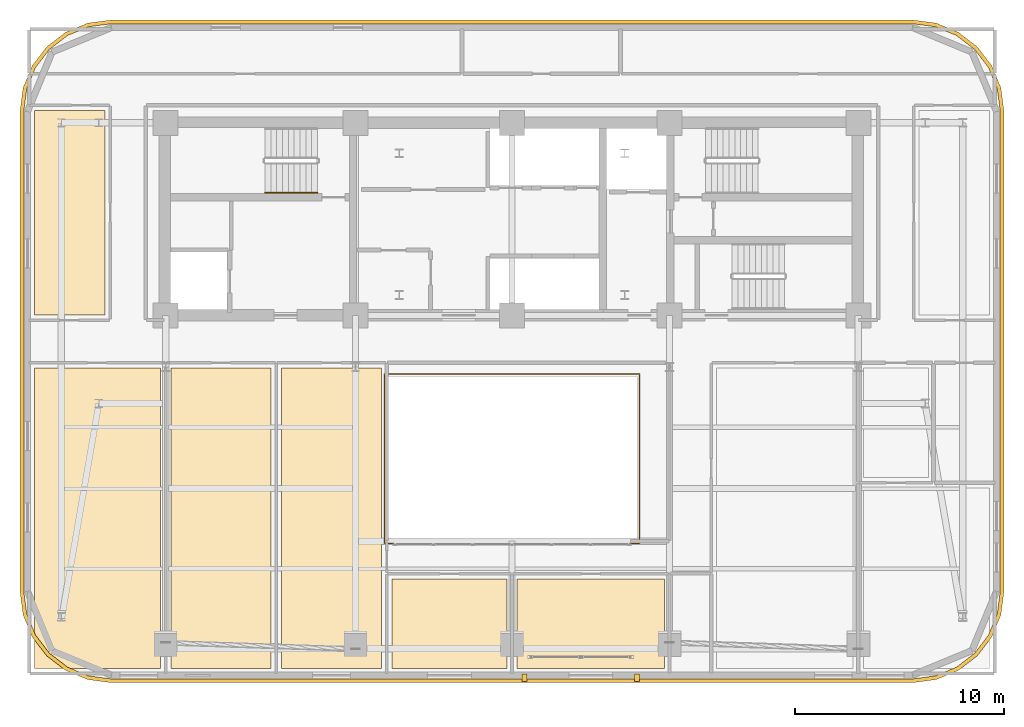
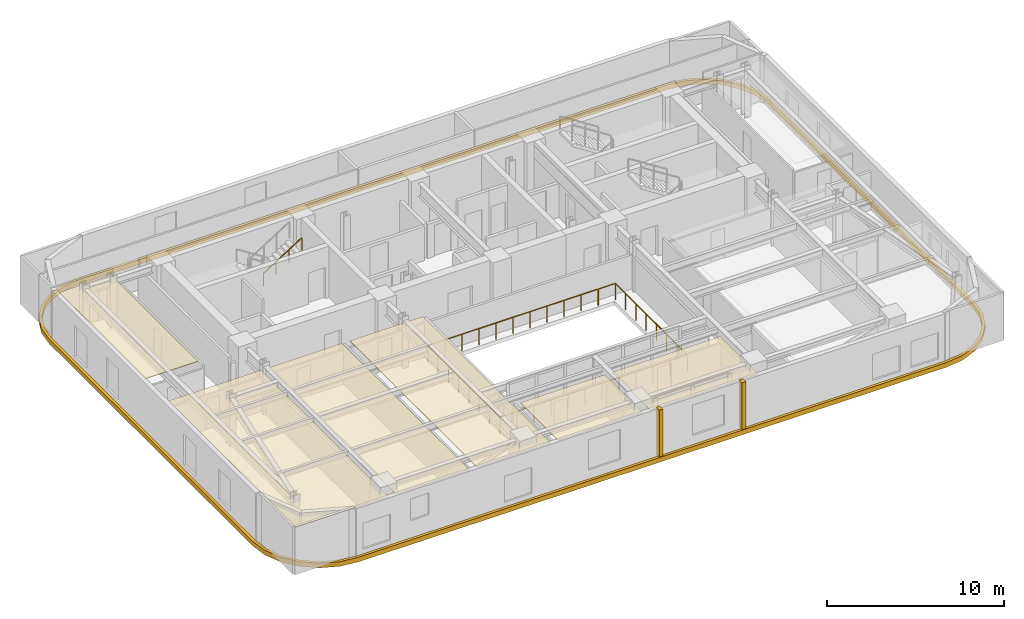
# One storey, part 10 of 12: 9 coverings, 2 railings.
"""IFC4 building model written with IfcOpenShell, lengths in metres."""

from ifc_helpers import new_model, si_unit, direction, frame, origin, origin_2d, place, context, subcontext, project, spatial, polyline, rectangle, outline, extrude, material, layer, layer_set, type_object, element, save


model = new_model("IFC4")

# Units and contexts
model_context = context("Model", 3, precision=1e-05, world=origin(), true_north=direction((0.0, 1.0)))
body_context = subcontext(model_context, "Body", "Model", "MODEL_VIEW")
ifc_project = project(units=[si_unit("LENGTHUNIT", "METRE"), si_unit("AREAUNIT", "SQUARE_METRE"), si_unit("VOLUMEUNIT", "CUBIC_METRE"), si_unit("PLANEANGLEUNIT", "RADIAN"), si_unit("MASSUNIT", "GRAM", prefix="KILO")], contexts=[model_context])

# Site, building, storey
site_placement = place(None, origin())
site = spatial("IfcSite", under=ifc_project, at=site_placement, CompositionType="ELEMENT")
building_placement = place(site_placement, origin())
building = spatial("IfcBuilding", under=site, at=building_placement, Name="Zarnavel Station Tower", CompositionType="ELEMENT")
storey_placement = place(building_placement, frame((0.0, 0.0, 155.449951171875)))
storey = spatial("IfcBuildingStorey", under=building, at=storey_placement, Name="L42", CompositionType="ELEMENT", Elevation=155.449951171875)

# Coverings
ifc_material_1 = material(Name="Perforated Gypsum and Mineral-Wool Acoustic Ceiling", Category="concrete")
ifc_layer = layer(ifc_material_1, 0.0400390625)
ifc_layer_set = layer_set([ifc_layer], Name="COV_CEIL_ACOUSTIC")
covering_type_1 = type_object("IfcCoveringType", Name="COV_CEIL_ACOUSTIC", PredefinedType="CEILING", material=ifc_layer_set)
covering_1_placement = place(storey_placement, frame((0.0, 0.0, 2.969970703125)))
element("IfcCovering", 1, at=covering_1_placement, inside=storey, type_object=covering_type_1, Name="L42 FNW Acoustic Ceiling", PredefinedType="CEILING", context=body_context, shape_type="SweptSolid", body=[
    extrude(outline(polyline([(5.909912109375, 27.85009765625), (9.300048828125, 27.85009765625), (9.300048828125, 37.64990234375), (5.909912109375, 37.64990234375), (5.909912109375, 27.85009765625)])), origin(), (0.0, 0.0, 1.0), 0.0400390625),
])
covering_2_placement = place(storey_placement, frame((0.0, 0.0, 2.969970703125)))
element("IfcCovering", 2, at=covering_2_placement, inside=storey, type_object=covering_type_1, Name="L42 L41LIB Acoustic Ceiling", PredefinedType="CEILING", context=body_context, shape_type="SweptSolid", body=[
    extrude(outline(polyline([(5.909912109375, 10.909912109375), (11.949951171875, 10.909912109375), (11.949951171875, 25.300048828125), (5.909912109375, 25.300048828125), (5.909912109375, 10.909912109375)])), origin(), (0.0, 0.0, 1.0), 0.0400390625),
])
covering_3_placement = place(storey_placement, frame((0.0, 0.0, 2.969970703125)))
element("IfcCovering", 3, at=covering_3_placement, inside=storey, type_object=covering_type_1, Name="L42 L41BRD Acoustic Ceiling", PredefinedType="CEILING", context=body_context, shape_type="SweptSolid", body=[
    extrude(outline(polyline([(12.449951171875, 10.909912109375), (17.25, 10.909912109375), (17.25, 25.300048828125), (12.449951171875, 25.300048828125), (12.449951171875, 10.909912109375)])), origin(), (0.0, 0.0, 1.0), 0.0400390625),
])
covering_4_placement = place(storey_placement, frame((0.0, 0.0, 2.969970703125)))
element("IfcCovering", 4, at=covering_4_placement, inside=storey, type_object=covering_type_1, Name="L42 L41OFF Acoustic Ceiling", PredefinedType="CEILING", context=body_context, shape_type="SweptSolid", body=[
    extrude(outline(polyline([(17.75, 10.909912109375), (22.550048828125, 10.909912109375), (22.550048828125, 25.300048828125), (17.75, 25.300048828125), (17.75, 10.909912109375)])), origin(), (0.0, 0.0, 1.0), 0.0400390625),
])
covering_5_placement = place(storey_placement, frame((0.0, 0.0, 2.969970703125)))
element("IfcCovering", 5, at=covering_5_placement, inside=storey, type_object=covering_type_1, Name="L42 L41TEA Acoustic Ceiling", PredefinedType="CEILING", context=body_context, shape_type="SweptSolid", body=[
    extrude(outline(polyline([(23.050048828125, 10.909912109375), (28.550048828125, 10.909912109375), (28.550048828125, 15.199951171875), (23.050048828125, 15.199951171875), (23.050048828125, 10.909912109375)])), origin(), (0.0, 0.0, 1.0), 0.0400390625),
])
covering_6_placement = place(storey_placement, frame((0.0, 0.0, 2.969970703125)))
element("IfcCovering", 6, at=covering_6_placement, inside=storey, type_object=covering_type_1, Name="L42 L41BAR Acoustic Ceiling", PredefinedType="CEILING", context=body_context, shape_type="SweptSolid", body=[
    extrude(outline(polyline([(29.050048828125, 10.909912109375), (36.10009765625, 10.909912109375), (36.10009765625, 15.199951171875), (29.050048828125, 15.199951171875), (29.050048828125, 10.909912109375)])), origin(), (0.0, 0.0, 1.0), 0.0400390625),
])
ifc_material_2 = material(Name="Precast concrete C45/55 (Pale Travertine Slab Band)", Category="masonry")
covering_type_2 = type_object("IfcCoveringType", Name="COV_TRAVERTINE_BAND", PredefinedType="CLADDING", material=ifc_material_2)
covering_7_placement = place(storey_placement, frame((0.0, 0.0, -0.260009765625)))
element("IfcCovering", 7, at=covering_7_placement, inside=storey, type_object=covering_type_2, Name="L42 Pale Travertine Slab-Edge Band", PredefinedType="CLADDING", context=body_context, shape_type="SweptSolid", body=[
    extrude(outline(polyline([(48.0, 10.219970703125), (49.133544921875, 10.369140625), (50.18994140625, 10.806884765625), (51.09716796875, 11.5029296875), (51.793212890625, 12.409912109375), (52.230712890625, 13.46630859375), (52.3798828125, 14.60009765625), (52.3798828125, 37.60009765625), (52.230712890625, 38.733642578125), (51.793212890625, 39.7900390625), (51.09716796875, 40.697021484375), (50.18994140625, 41.393310546875), (49.133544921875, 41.830810546875), (48.0, 41.97998046875), (9.60009765625, 41.97998046875), (8.46630859375, 41.830810546875), (7.409912109375, 41.393310546875), (6.5029296875, 40.697021484375), (5.806884765625, 39.7900390625), (5.369140625, 38.733642578125), (5.219970703125, 37.60009765625), (5.219970703125, 14.60009765625), (5.369140625, 13.46630859375), (5.806884765625, 12.409912109375), (6.5029296875, 11.5029296875), (7.409912109375, 10.806884765625), (8.46630859375, 10.369140625), (9.60009765625, 10.219970703125), (48.0, 10.219970703125)]), holes=[polyline([(48.0, 10.39990234375), (49.0869140625, 10.543212890625), (50.10009765625, 10.962646484375), (50.9697265625, 11.630126953125), (51.63720703125, 12.5), (52.056884765625, 13.512939453125), (52.199951171875, 14.60009765625), (52.199951171875, 37.60009765625), (52.056884765625, 38.68701171875), (51.63720703125, 39.699951171875), (50.9697265625, 40.56982421875), (50.10009765625, 41.2373046875), (49.0869140625, 41.656982421875), (48.0, 41.800048828125), (9.60009765625, 41.800048828125), (8.512939453125, 41.656982421875), (7.5, 41.2373046875), (6.630126953125, 40.56982421875), (5.962646484375, 39.699951171875), (5.543212890625, 38.68701171875), (5.39990234375, 37.60009765625), (5.39990234375, 14.60009765625), (5.543212890625, 13.512939453125), (5.962646484375, 12.5), (6.630126953125, 11.630126953125), (7.5, 10.962646484375), (8.512939453125, 10.543212890625), (9.60009765625, 10.39990234375), (48.0, 10.39990234375)])]), origin(), (0.0, 0.0, 1.0), 0.320068359375),
])
for number, where, z_axis, x_axis, name in (
    (8, (29.39990234375, 10.449951171875, 0.0), (0.0, 0.0, 1.0), (1.0, 0.0, 0.0), "L42 Travertine Portal Loggia Vertical Jog West"),
    (9, (34.800048828125, 10.449951171875, 0.0), (0.0, 0.0, 1.0), (1.0, 0.0, 0.0), "L42 Travertine Portal Loggia Vertical Jog East"),
):
    element("IfcCovering", number, at=place(storey_placement, frame(where, z_axis=z_axis, x_axis=x_axis)), inside=storey, type_object=covering_type_2, Name=name, PredefinedType="CLADDING", context=body_context, shape_type="SweptSolid", body=[
        extrude(rectangle(XDim=0.239990234375, YDim=0.360107421875, at=origin_2d()), origin(), (0.0, 0.0, 1.0), 3.2900390625),
    ])

# Railings
ifc_material_3 = material(Name="Painted Steel S355J2 Balustrade", Category="steel")
railing_type_1 = type_object("IfcRailingType", Name="GR_INT_1150", PredefinedType="GUARDRAIL", material=ifc_material_3)
railing_1_placement = place(storey_placement, frame((22.679931640625, 16.8798828125, 0.0)))
element("IfcRailing", 10, at=railing_1_placement, inside=storey, type_object=railing_type_1, Name="L42 Atrium Void Guardrail", PredefinedType="GUARDRAIL", context=body_context, shape_type="SweptSolid", body=[
    extrude(rectangle(XDim=0.048095703125, YDim=0.048095703125, at=origin_2d()), frame((0.001953125, 0.0, 1.1259765625), z_axis=(1.0, 0.0, 0.0), x_axis=(0.0, 1.0, 0.0)), (0.0, 0.0, 1.0), 12.236083984375),
    extrude(rectangle(XDim=0.048095703125, YDim=0.048095703125, at=origin_2d()), frame((12.239990234375, 0.001953125, 1.1259765625), z_axis=(0.0, 1.0, 0.0), x_axis=(-1.0, 0.0, 0.0)), (0.0, 0.0, 1.0), 8.13623046875),
    extrude(rectangle(XDim=0.048095703125, YDim=0.048095703125, at=origin_2d()), frame((12.238037109375, 8.14013671875, 1.1259765625), z_axis=(-1.0, 0.0, 0.0), x_axis=(0.0, -1.0, 0.0)), (0.0, 0.0, 1.0), 12.236083984375),
    extrude(rectangle(XDim=0.048095703125, YDim=0.048095703125, at=origin_2d()), frame((0.0, 8.13818359375, 1.1259765625), z_axis=(0.0, -1.0, 0.0), x_axis=(1.0, 0.0, 0.0)), (0.0, 0.0, 1.0), 8.13623046875),
    extrude(rectangle(XDim=0.0419921875, YDim=0.0419921875, at=origin_2d()), origin(), (0.0, 0.0, 1.0), 1.101806640625),
    extrude(rectangle(XDim=0.0419921875, YDim=0.0419921875, at=origin_2d()), frame((1.11279296875, 0.0, 0.0)), (0.0, 0.0, 1.0), 1.101806640625),
    extrude(rectangle(XDim=0.0419921875, YDim=0.0419921875, at=origin_2d()), frame((2.225341796875, 0.0, 0.0)), (0.0, 0.0, 1.0), 1.101806640625),
    extrude(rectangle(XDim=0.0419921875, YDim=0.0419921875, at=origin_2d()), frame((3.338134765625, 0.0, 0.0)), (0.0, 0.0, 1.0), 1.101806640625),
    extrude(rectangle(XDim=0.0419921875, YDim=0.0419921875, at=origin_2d()), frame((4.450927734375, 0.0, 0.0)), (0.0, 0.0, 1.0), 1.101806640625),
    extrude(rectangle(XDim=0.0419921875, YDim=0.0419921875, at=origin_2d()), frame((5.563720703125, 0.0, 0.0)), (0.0, 0.0, 1.0), 1.101806640625),
    extrude(rectangle(XDim=0.0419921875, YDim=0.0419921875, at=origin_2d()), frame((6.67626953125, 0.0, 0.0)), (0.0, 0.0, 1.0), 1.101806640625),
    extrude(rectangle(XDim=0.0419921875, YDim=0.0419921875, at=origin_2d()), frame((7.7890625, 0.0, 0.0)), (0.0, 0.0, 1.0), 1.101806640625),
    extrude(rectangle(XDim=0.0419921875, YDim=0.0419921875, at=origin_2d()), frame((8.90185546875, 0.0, 0.0)), (0.0, 0.0, 1.0), 1.101806640625),
    extrude(rectangle(XDim=0.0419921875, YDim=0.0419921875, at=origin_2d()), frame((10.0146484375, 0.0, 0.0)), (0.0, 0.0, 1.0), 1.101806640625),
    extrude(rectangle(XDim=0.0419921875, YDim=0.0419921875, at=origin_2d()), frame((11.127197265625, 0.0, 0.0)), (0.0, 0.0, 1.0), 1.101806640625),
    extrude(rectangle(XDim=0.0419921875, YDim=0.0419921875, at=origin_2d()), frame((12.239990234375, 0.0, 0.0)), (0.0, 0.0, 1.0), 1.101806640625),
    extrude(rectangle(XDim=0.0419921875, YDim=0.0419921875, at=origin_2d()), frame((12.239990234375, 1.162841796875, 0.0)), (0.0, 0.0, 1.0), 1.101806640625),
    extrude(rectangle(XDim=0.0419921875, YDim=0.0419921875, at=origin_2d()), frame((12.239990234375, 2.32568359375, 0.0)), (0.0, 0.0, 1.0), 1.101806640625),
    extrude(rectangle(XDim=0.0419921875, YDim=0.0419921875, at=origin_2d()), frame((12.239990234375, 3.488525390625, 0.0)), (0.0, 0.0, 1.0), 1.101806640625),
    extrude(rectangle(XDim=0.0419921875, YDim=0.0419921875, at=origin_2d()), frame((12.239990234375, 4.651611328125, 0.0)), (0.0, 0.0, 1.0), 1.101806640625),
    extrude(rectangle(XDim=0.0419921875, YDim=0.0419921875, at=origin_2d()), frame((12.239990234375, 5.814453125, 0.0)), (0.0, 0.0, 1.0), 1.101806640625),
    extrude(rectangle(XDim=0.0419921875, YDim=0.0419921875, at=origin_2d()), frame((12.239990234375, 6.977294921875, 0.0)), (0.0, 0.0, 1.0), 1.101806640625),
    extrude(rectangle(XDim=0.0419921875, YDim=0.0419921875, at=origin_2d()), frame((12.239990234375, 8.14013671875, 0.0)), (0.0, 0.0, 1.0), 1.101806640625),
    extrude(rectangle(XDim=0.0419921875, YDim=0.0419921875, at=origin_2d()), frame((11.127197265625, 8.14013671875, 0.0)), (0.0, 0.0, 1.0), 1.101806640625),
    extrude(rectangle(XDim=0.0419921875, YDim=0.0419921875, at=origin_2d()), frame((10.0146484375, 8.14013671875, 0.0)), (0.0, 0.0, 1.0), 1.101806640625),
    extrude(rectangle(XDim=0.0419921875, YDim=0.0419921875, at=origin_2d()), frame((8.90185546875, 8.14013671875, 0.0)), (0.0, 0.0, 1.0), 1.101806640625),
    extrude(rectangle(XDim=0.0419921875, YDim=0.0419921875, at=origin_2d()), frame((7.7890625, 8.14013671875, 0.0)), (0.0, 0.0, 1.0), 1.101806640625),
    extrude(rectangle(XDim=0.0419921875, YDim=0.0419921875, at=origin_2d()), frame((6.67626953125, 8.14013671875, 0.0)), (0.0, 0.0, 1.0), 1.101806640625),
    extrude(rectangle(XDim=0.0419921875, YDim=0.0419921875, at=origin_2d()), frame((5.563720703125, 8.14013671875, 0.0)), (0.0, 0.0, 1.0), 1.101806640625),
    extrude(rectangle(XDim=0.0419921875, YDim=0.0419921875, at=origin_2d()), frame((4.450927734375, 8.14013671875, 0.0)), (0.0, 0.0, 1.0), 1.101806640625),
    extrude(rectangle(XDim=0.0419921875, YDim=0.0419921875, at=origin_2d()), frame((3.338134765625, 8.14013671875, 0.0)), (0.0, 0.0, 1.0), 1.101806640625),
    extrude(rectangle(XDim=0.0419921875, YDim=0.0419921875, at=origin_2d()), frame((2.225341796875, 8.14013671875, 0.0)), (0.0, 0.0, 1.0), 1.101806640625),
    extrude(rectangle(XDim=0.0419921875, YDim=0.0419921875, at=origin_2d()), frame((1.11279296875, 8.14013671875, 0.0)), (0.0, 0.0, 1.0), 1.101806640625),
    extrude(rectangle(XDim=0.0419921875, YDim=0.0419921875, at=origin_2d()), frame((0.0, 8.14013671875, 0.0)), (0.0, 0.0, 1.0), 1.101806640625),
    extrude(rectangle(XDim=0.0419921875, YDim=0.0419921875, at=origin_2d()), frame((0.0, 6.977294921875, 0.0)), (0.0, 0.0, 1.0), 1.101806640625),
    extrude(rectangle(XDim=0.0419921875, YDim=0.0419921875, at=origin_2d()), frame((0.0, 5.814453125, 0.0)), (0.0, 0.0, 1.0), 1.101806640625),
    extrude(rectangle(XDim=0.0419921875, YDim=0.0419921875, at=origin_2d()), frame((0.0, 4.651611328125, 0.0)), (0.0, 0.0, 1.0), 1.101806640625),
    extrude(rectangle(XDim=0.0419921875, YDim=0.0419921875, at=origin_2d()), frame((0.0, 3.488525390625, 0.0)), (0.0, 0.0, 1.0), 1.101806640625),
    extrude(rectangle(XDim=0.0419921875, YDim=0.0419921875, at=origin_2d()), frame((0.0, 2.32568359375, 0.0)), (0.0, 0.0, 1.0), 1.101806640625),
    extrude(rectangle(XDim=0.0419921875, YDim=0.0419921875, at=origin_2d()), frame((0.0, 1.162841796875, 0.0)), (0.0, 0.0, 1.0), 1.101806640625),
])
ifc_material_4 = material(Name="Brushed Stainless Steel S355J2 Handrail", Category="steel")
railing_type_2 = type_object("IfcRailingType", Name="HR_STAIR_900", PredefinedType="HANDRAIL", material=ifc_material_4)
railing_2_placement = place(storey_placement, frame((16.9599609375, 33.7099609375, 1.95263671875)))
element("IfcRailing", 11, at=railing_2_placement, inside=storey, type_object=railing_type_2, Name="L42 ST1 stair handrail 2", PredefinedType="HANDRAIL", context=body_context, shape_type="SweptSolid", body=[
    extrude(rectangle(XDim=0.048095703125, YDim=0.048095703125, at=origin_2d()), frame((0.001708984375, 0.0, 0.876953125), z_axis=(0.84460694969, 0.0, 0.535386869969), x_axis=(0.0, 1.0, 0.0)), (0.0, 0.0, 1.0), 2.979736328125),
    extrude(rectangle(XDim=0.0419921875, YDim=0.0419921875, at=origin_2d()), origin(), (0.0, 0.0, 1.0), 0.851806640625),
    extrude(rectangle(XDim=0.0419921875, YDim=0.0419921875, at=origin_2d()), frame((0.840087890625, 0.0, 0.532470703125)), (0.0, 0.0, 1.0), 0.851806640625),
    extrude(rectangle(XDim=0.0419921875, YDim=0.0419921875, at=origin_2d()), frame((1.679931640625, 0.0, 1.06494140625)), (0.0, 0.0, 1.0), 0.851806640625),
    extrude(rectangle(XDim=0.0419921875, YDim=0.0419921875, at=origin_2d()), frame((2.52001953125, 0.0, 1.597412109375)), (0.0, 0.0, 1.0), 0.851806640625),
])

save(model, "model.ifc")
